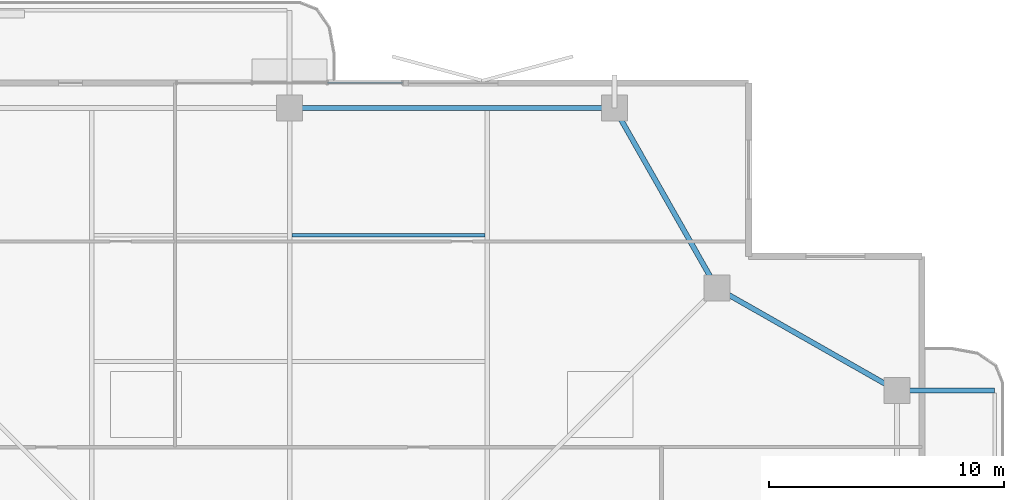
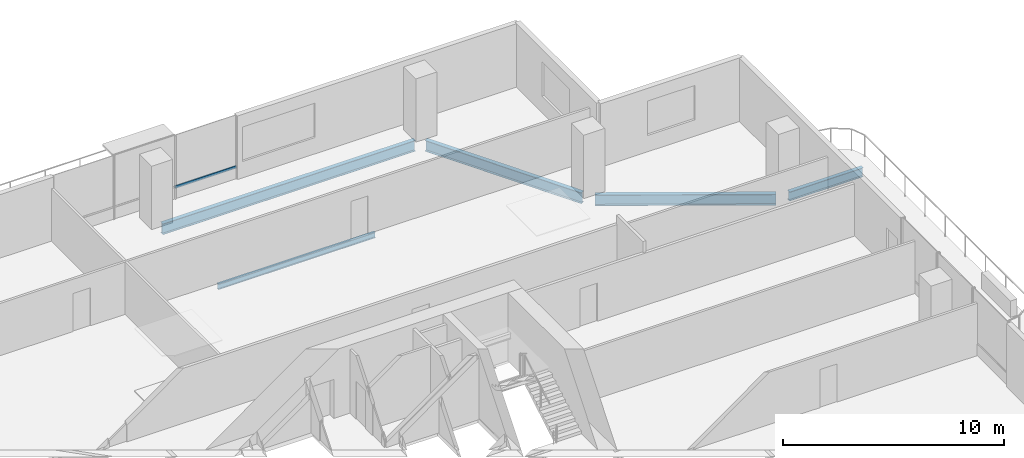
# One storey, part 14 of 24: 5 beams, 1 member, 1 element without a shape of its own.
"""IFC4 building model written with IfcOpenShell, lengths in metres."""

from ifc_helpers import new_model, si_unit, direction, frame, origin, origin_2d, place, context, subcontext, project, spatial, hollow_rectangle, i_section, extrude, material, layer, layer_set, material_profile, profile_set, type_object, element, aggregate, save


model = new_model("IFC4")

# Units and contexts
model_context = context("Model", 3, precision=1e-05, world=origin(), true_north=direction((0.0, 1.0)))
body_context = subcontext(model_context, "Body", "Model", "MODEL_VIEW")
ifc_project = project(units=[si_unit("LENGTHUNIT", "METRE"), si_unit("AREAUNIT", "SQUARE_METRE"), si_unit("VOLUMEUNIT", "CUBIC_METRE"), si_unit("PLANEANGLEUNIT", "RADIAN"), si_unit("MASSUNIT", "GRAM", prefix="KILO")], contexts=[model_context])

# Site, building, storey
site_placement = place(None, origin())
site = spatial("IfcSite", under=ifc_project, at=site_placement, CompositionType="ELEMENT")
building_placement = place(site_placement, origin())
building = spatial("IfcBuilding", under=site, at=building_placement, Name="Belovzor Exchange Tower", CompositionType="ELEMENT")
storey_placement = place(building_placement, frame((0.0, 0.0, 222.449951171875)))
storey = spatial("IfcBuildingStorey", under=building, at=storey_placement, Name="L55", CompositionType="ELEMENT", Elevation=222.449951171875)

# Beams
ifc_material_1 = material(Name="Steel S355", Category="steel")
ifc_material_profile_1 = material_profile(ifc_material_1, i_section(OverallWidth=0.199951171875, OverallDepth=0.5, WebThickness=0.01025390625, FlangeThickness=0.01611328125, at=origin_2d()))
ifc_profile_set_1 = profile_set([ifc_material_profile_1], Name="Steel S355")
beam_type_1 = type_object("IfcBeamType", Name="Planted Balcony Cantilever Beam IPE 500", PredefinedType="BEAM", material=ifc_profile_set_1)
beam_1_placement = place(storey_placement, frame((54.903076171875, 42.60009765625, -0.5), z_axis=(1.0, 0.0, 0.0), x_axis=(0.0, 1.0, 0.0)))
element("IfcBeam", 1, at=beam_1_placement, inside=storey, type_object=beam_type_1, Name="BC-500 Planted Balcony Cantilever Beam IPE 500", PredefinedType="BEAM", context=body_context, shape_type="SweptSolid", body=[
    extrude(i_section(OverallWidth=0.199951171875, OverallDepth=0.5, WebThickness=0.01025390625, FlangeThickness=0.01611328125, at=origin_2d()), origin(), (0.0, 0.0, 1.0), 3.849853515625),
])
ifc_material_2 = material(Name="Steel S355", Category="steel")
ifc_material_profile_2 = material_profile(ifc_material_2, i_section(OverallWidth=0.14990234375, OverallDepth=0.300048828125, WebThickness=0.007080078125, FlangeThickness=0.0107421875, at=origin_2d()))
ifc_profile_set_2 = profile_set([ifc_material_profile_2], Name="Steel S355")
beam_type_2 = type_object("IfcBeamType", Name="Secondary Trim Floor Joist IPE 300", PredefinedType="BEAM", material=ifc_profile_set_2)
beam_2_placement = place(storey_placement, frame((28.89501953125, 49.18701171875, -0.39990234375), z_axis=(1.0, 0.0, 0.0), x_axis=(0.0, 1.0, 0.0)))
element("IfcBeam", 2, at=beam_2_placement, inside=storey, type_object=beam_type_2, Name="FJ-300 Secondary Trim Floor Joist IPE 300", PredefinedType="BEAM", context=body_context, shape_type="SweptSolid", body=[
    extrude(i_section(OverallWidth=0.14990234375, OverallDepth=0.300048828125, WebThickness=0.007080078125, FlangeThickness=0.0107421875, at=origin_2d()), origin(), (0.0, 0.0, 1.0), 8.2099609375),
])

# Curtain wall, member
ifc_material_3 = material(Name="Anodised Aluminium Framing", Category="aluminium")
ifc_layer = layer(ifc_material_3, 0.179931640625)
ifc_layer_set = layer_set([ifc_layer], Name="Anodised Aluminium Framing")
curtain_wall_type = type_object("IfcCurtainWallType", Name="Recessed Loggia Low-Iron Triple-Glazed Curtain Wall", PredefinedType="NOTDEFINED", material=ifc_layer_set)
curtain_wall_placement = place(storey_placement, origin())
curtain_wall = element("IfcCurtainWall", 3, at=curtain_wall_placement, inside=storey, type_object=curtain_wall_type, Name="CW3 Recessed Loggia Low-Iron Triple-Glazed Curtain Wall L55", PredefinedType="NOTDEFINED")
ifc_material_4 = material(Name="Steel S355", Category="steel")
ifc_material_profile_3 = material_profile(ifc_material_4, hollow_rectangle(XDim=0.06005859375, YDim=0.14990234375, WallThickness=0.00390625, at=origin_2d()))
ifc_profile_set_3 = profile_set([ifc_material_profile_3], Name="Steel S355")
member_type = type_object("IfcMemberType", Name="Thermally Broken Curtain Wall Transom 150x60", PredefinedType="USERDEFINED", material=ifc_profile_set_3)
member_placement = place(storey_placement, frame((30.407958984375, 55.669921875, 0.630126953125), z_axis=(1.0, 0.0, 0.0), x_axis=(0.0, 1.0, 0.0)))
member = element("IfcMember", 4, at=member_placement, type_object=member_type, Name="CW-T150 Curtain Wall Transom 3", ObjectType="TRANSOM", PredefinedType="USERDEFINED", context=body_context, shape_type="SweptSolid", body=[
    extrude(hollow_rectangle(XDim=0.06005859375, YDim=0.14990234375, WallThickness=0.00390625, at=origin_2d()), origin(), (0.0, 0.0, 1.0), 3.18408203125),
])
aggregate(curtain_wall, [member])

# Beams
ifc_material_5 = material(Name="Steel S355", Category="steel")
ifc_material_profile_4 = material_profile(ifc_material_5, i_section(OverallWidth=0.219970703125, OverallDepth=0.60009765625, WebThickness=0.011962890625, FlangeThickness=0.01904296875, at=origin_2d()))
ifc_profile_set_4 = profile_set([ifc_material_profile_4], Name="Steel S355")
beam_type_3 = type_object("IfcBeamType", Name="Zone 4 Flare Primary Girder IPE 600", PredefinedType="BEAM", material=ifc_profile_set_4)
for number, where, z_axis, x_axis, name in (
    (5, (54.3369140625, 42.75, -0.550048828125), (-0.869335547884, 0.494222323641, 0.0), (-0.494222323641, -0.869335547884, 0.0), "FG-Z4 Zone 4 Flare Primary Girder IPE 600"),
    (6, (46.800048828125, 47.212890625, -0.550048828125), (-0.494222323641, 0.869335547884, 0.0), (-0.869335547884, -0.494222323641, 0.0), "FG-Z4 Zone 4 Flare Primary Girder IPE 600"),
):
    element("IfcBeam", number, at=place(storey_placement, frame(where, z_axis=z_axis, x_axis=x_axis)), inside=storey, type_object=beam_type_3, Name=name, PredefinedType="BEAM", context=body_context, shape_type="SweptSolid", body=[
        extrude(i_section(OverallWidth=0.219970703125, OverallDepth=0.60009765625, WebThickness=0.011962890625, FlangeThickness=0.01904296875, at=origin_2d()), origin(), (0.0, 0.0, 1.0), 8.19482421875),
    ])
beam_3_placement = place(storey_placement, frame((42.297119140625, 54.60009765625, -0.550048828125), z_axis=(-1.0, 0.0, 0.0), x_axis=(0.0, -1.0, 0.0)))
element("IfcBeam", 7, at=beam_3_placement, inside=storey, type_object=beam_type_3, Name="FG-Z4 Zone 4 Flare Primary Girder IPE 600", PredefinedType="BEAM", context=body_context, shape_type="SweptSolid", body=[
    extrude(i_section(OverallWidth=0.219970703125, OverallDepth=0.60009765625, WebThickness=0.011962890625, FlangeThickness=0.01904296875, at=origin_2d()), origin(), (0.0, 0.0, 1.0), 13.195068359375),
])

save(model, "model.ifc")
